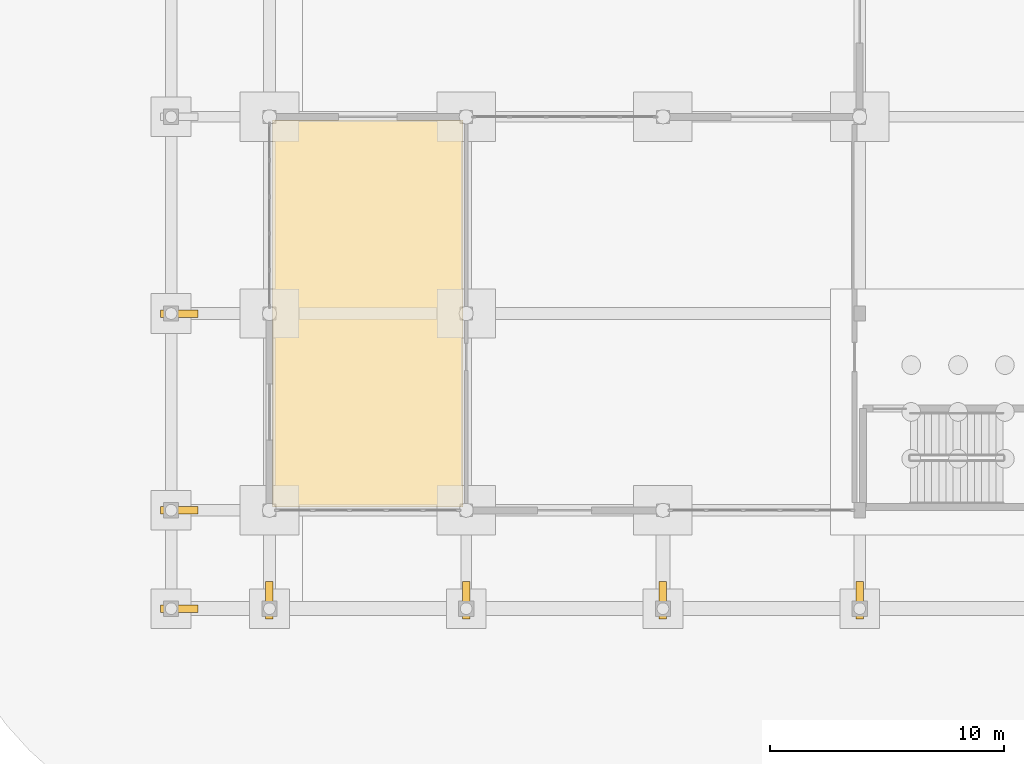
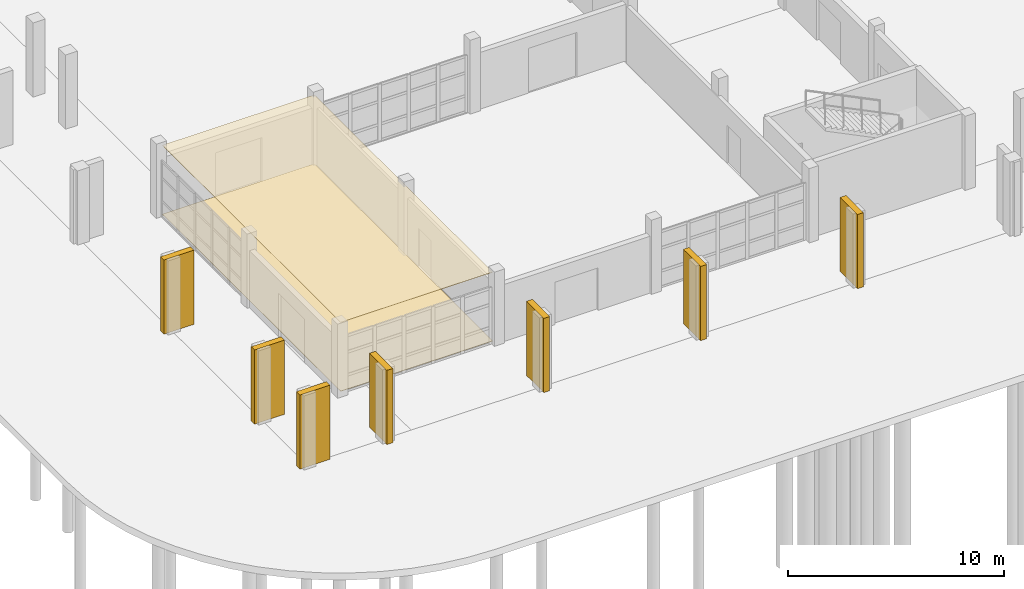
# One storey, part 68 of 88: 9 coverings.
"""IFC4 building model written with IfcOpenShell, lengths in metres."""

from ifc_helpers import new_model, si_unit, direction, frame, origin, origin_2d, place, context, subcontext, project, spatial, polyline, rectangle, outline, extrude, material, layer, layer_set, type_object, element, save


model = new_model("IFC4")

# Units and contexts
model_context = context("Model", 3, precision=1e-05, world=origin(), true_north=direction((0.0, 1.0)))
body_context = subcontext(model_context, "Body", "Model", "MODEL_VIEW")
ifc_project = project(units=[si_unit("LENGTHUNIT", "METRE"), si_unit("AREAUNIT", "SQUARE_METRE"), si_unit("VOLUMEUNIT", "CUBIC_METRE"), si_unit("PLANEANGLEUNIT", "RADIAN"), si_unit("MASSUNIT", "GRAM", prefix="KILO")], contexts=[model_context])

# Site, building, storey
site_placement = place(None, origin())
site = spatial("IfcSite", under=ifc_project, at=site_placement, CompositionType="ELEMENT")
building_placement = place(site_placement, origin())
building = spatial("IfcBuilding", under=site, at=building_placement, Name="Vanh Quang Courtyard School", CompositionType="ELEMENT")
storey_placement = place(building_placement, origin())
storey = spatial("IfcBuildingStorey", under=building, at=storey_placement, Name="L00", CompositionType="ELEMENT", Elevation=0.0)

# Coverings
ifc_material_1 = material(Name="Perforated mineral-fibre acoustic ceiling board")
ifc_layer_1 = layer(ifc_material_1, 0.02490234375)
ifc_layer_set_1 = layer_set([ifc_layer_1], Name="Perforated mineral-fibre acoustic ceiling board")
covering_type_1 = type_object("IfcCoveringType", Name="COV-CEIL-ACOUSTIC", PredefinedType="CEILING", material=ifc_layer_set_1)
covering_1_placement = place(storey_placement, frame((0.0, 0.0, 3.89501953125)))
element("IfcCovering", 1, at=covering_1_placement, inside=storey, type_object=covering_type_1, Name="Covering CV-CL1 (L00)", PredefinedType="CEILING", context=body_context, shape_type="SweptSolid", body=[
    extrude(outline(polyline([(4.330078125, 20.860107421875), (4.330078125, 20.861083984375), (4.330078125, 20.862060546875), (4.330322265625, 20.86279296875), (4.330810546875, 20.86376953125), (4.331298828125, 20.86474609375), (4.331787109375, 20.865478515625), (4.332275390625, 20.8662109375), (4.3330078125, 20.8671875), (4.333740234375, 20.86767578125), (4.33447265625, 20.868408203125), (4.335205078125, 20.868896484375), (4.336181640625, 20.869140625), (4.337158203125, 20.86962890625), (4.337890625, 20.869873046875), (4.339111328125, 20.8701171875), (4.340087890625, 20.8701171875), (12.4599609375, 20.8701171875), (12.4609375, 20.8701171875), (12.4619140625, 20.869873046875), (12.462890625, 20.86962890625), (12.4638671875, 20.869140625), (12.464599609375, 20.868896484375), (12.465576171875, 20.868408203125), (12.46630859375, 20.86767578125), (12.467041015625, 20.8671875), (12.4677734375, 20.8662109375), (12.46826171875, 20.865478515625), (12.46875, 20.86474609375), (12.46923828125, 20.86376953125), (12.469482421875, 20.86279296875), (12.4697265625, 20.862060546875), (12.469970703125, 20.861083984375), (12.469970703125, 20.860107421875), (12.469970703125, 4.340087890625), (12.469970703125, 4.339111328125), (12.4697265625, 4.337890625), (12.469482421875, 4.337158203125), (12.46923828125, 4.336181640625), (12.46875, 4.335205078125), (12.46826171875, 4.33447265625), (12.4677734375, 4.333740234375), (12.467041015625, 4.3330078125), (12.46630859375, 4.332275390625), (12.465576171875, 4.331787109375), (12.464599609375, 4.331298828125), (12.4638671875, 4.330810546875), (12.462890625, 4.330322265625), (12.4619140625, 4.330078125), (12.4609375, 4.330078125), (12.4599609375, 4.330078125), (4.340087890625, 4.330078125), (4.339111328125, 4.330078125), (4.337890625, 4.330078125), (4.337158203125, 4.330322265625), (4.336181640625, 4.330810546875), (4.335205078125, 4.331298828125), (4.33447265625, 4.331787109375), (4.333740234375, 4.332275390625), (4.3330078125, 4.3330078125), (4.332275390625, 4.333740234375), (4.331787109375, 4.33447265625), (4.331298828125, 4.335205078125), (4.330810546875, 4.336181640625), (4.330322265625, 4.337158203125), (4.330078125, 4.337890625), (4.330078125, 4.339111328125), (4.330078125, 4.340087890625), (4.330078125, 20.860107421875)])), origin(), (0.0, 0.0, 1.0), 0.02490234375),
])
ifc_material_2 = material(Name="Polished cementitious terrazzo tile", Category="concrete")
ifc_layer_2 = layer(ifc_material_2, 0.02001953125)
ifc_layer_set_2 = layer_set([ifc_layer_2], Name="Polished cementitious terrazzo tile")
covering_type_2 = type_object("IfcCoveringType", Name="COV-FLR-TERRAZZO", PredefinedType="FLOORING", material=ifc_layer_set_2)
covering_2_placement = place(storey_placement, origin())
element("IfcCovering", 2, at=covering_2_placement, inside=storey, type_object=covering_type_2, Name="Covering CV-FL1 (L00)", PredefinedType="FLOORING", context=body_context, shape_type="SweptSolid", body=[
    extrude(outline(polyline([(4.330078125, 20.860107421875), (4.330078125, 20.861083984375), (4.330078125, 20.862060546875), (4.330322265625, 20.86279296875), (4.330810546875, 20.86376953125), (4.331298828125, 20.86474609375), (4.331787109375, 20.865478515625), (4.332275390625, 20.8662109375), (4.3330078125, 20.8671875), (4.333740234375, 20.86767578125), (4.33447265625, 20.868408203125), (4.335205078125, 20.868896484375), (4.336181640625, 20.869140625), (4.337158203125, 20.86962890625), (4.337890625, 20.869873046875), (4.339111328125, 20.8701171875), (4.340087890625, 20.8701171875), (12.4599609375, 20.8701171875), (12.4609375, 20.8701171875), (12.4619140625, 20.869873046875), (12.462890625, 20.86962890625), (12.4638671875, 20.869140625), (12.464599609375, 20.868896484375), (12.465576171875, 20.868408203125), (12.46630859375, 20.86767578125), (12.467041015625, 20.8671875), (12.4677734375, 20.8662109375), (12.46826171875, 20.865478515625), (12.46875, 20.86474609375), (12.46923828125, 20.86376953125), (12.469482421875, 20.86279296875), (12.4697265625, 20.862060546875), (12.469970703125, 20.861083984375), (12.469970703125, 20.860107421875), (12.469970703125, 4.340087890625), (12.469970703125, 4.339111328125), (12.4697265625, 4.337890625), (12.469482421875, 4.337158203125), (12.46923828125, 4.336181640625), (12.46875, 4.335205078125), (12.46826171875, 4.33447265625), (12.4677734375, 4.333740234375), (12.467041015625, 4.3330078125), (12.46630859375, 4.332275390625), (12.465576171875, 4.331787109375), (12.464599609375, 4.331298828125), (12.4638671875, 4.330810546875), (12.462890625, 4.330322265625), (12.4619140625, 4.330078125), (12.4609375, 4.330078125), (12.4599609375, 4.330078125), (4.340087890625, 4.330078125), (4.339111328125, 4.330078125), (4.337890625, 4.330078125), (4.337158203125, 4.330322265625), (4.336181640625, 4.330810546875), (4.335205078125, 4.331298828125), (4.33447265625, 4.331787109375), (4.333740234375, 4.332275390625), (4.3330078125, 4.3330078125), (4.332275390625, 4.333740234375), (4.331787109375, 4.33447265625), (4.331298828125, 4.335205078125), (4.330810546875, 4.336181640625), (4.330322265625, 4.337158203125), (4.330078125, 4.337890625), (4.330078125, 4.339111328125), (4.330078125, 4.340087890625), (4.330078125, 20.860107421875)])), origin(), (0.0, 0.0, 1.0), 0.02001953125),
])
ifc_material_3 = material(Name="Board-marked precast concrete C40/50", Category="concrete")
ifc_layer_3 = layer(ifc_material_3, 0.239990234375)
ifc_layer_set_3 = layer_set([ifc_layer_3], Name="Board-marked precast concrete C40/50")
covering_type_3 = type_object("IfcCoveringType", Name="COV-HOOD-CONC", PredefinedType="CLADDING", material=ifc_layer_set_3)
for number, where, z_axis, x_axis, name in (
    (3, (0.35009765625, 0.0, 0.0), (0.0, 0.0, 1.0), (1.0, 0.0, 0.0), "Covering CH-01 (L00)"),
    (4, (0.35009765625, 4.199951171875, 0.0), (0.0, 0.0, 1.0), (1.0, 0.0, 0.0), "Covering CH-01 (L00)"),
    (5, (0.35009765625, 12.60009765625, 0.0), (0.0, 0.0, 1.0), (1.0, 0.0, 0.0), "Covering CH-01 (L00)"),
    (6, (4.199951171875, 0.35009765625, 0.0), (0.0, 0.0, 1.0), (0.0, 1.0, 0.0), "Covering CH-01 (L00)"),
    (7, (12.60009765625, 0.35009765625, 0.0), (0.0, 0.0, 1.0), (0.0, 1.0, 0.0), "Covering CH-01 (L00)"),
    (8, (21.0, 0.35009765625, 0.0), (0.0, 0.0, 1.0), (0.0, 1.0, 0.0), "Covering CH-01 (L00)"),
    (9, (29.39990234375, 0.35009765625, 0.0), (0.0, 0.0, 1.0), (0.0, 1.0, 0.0), "Covering CH-01 (L00)"),
):
    element("IfcCovering", number, at=place(storey_placement, frame(where, z_axis=z_axis, x_axis=x_axis)), inside=storey, type_object=covering_type_3, Name=name, PredefinedType="CLADDING", context=body_context, shape_type="SweptSolid", body=[
        extrude(rectangle(XDim=1.60009765625, YDim=0.320068359375, at=origin_2d()), origin(), (0.0, 0.0, 1.0), 4.199951171875),
    ])

save(model, "model.ifc")
